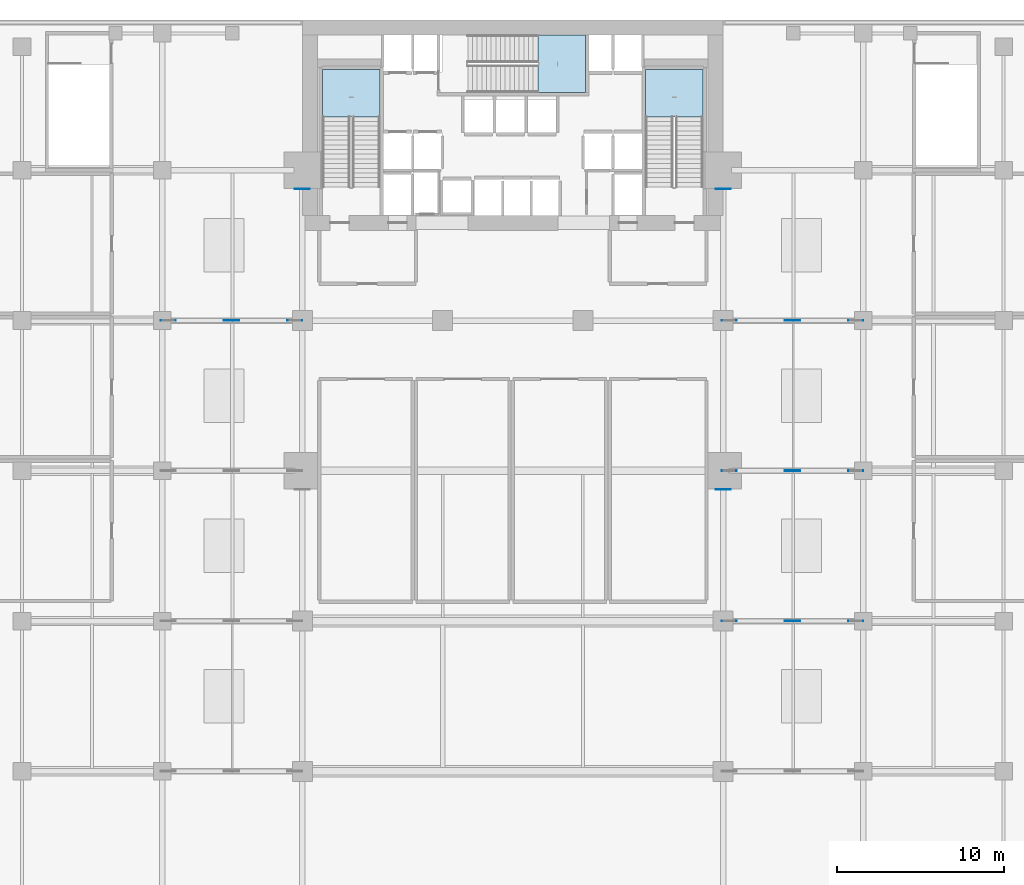
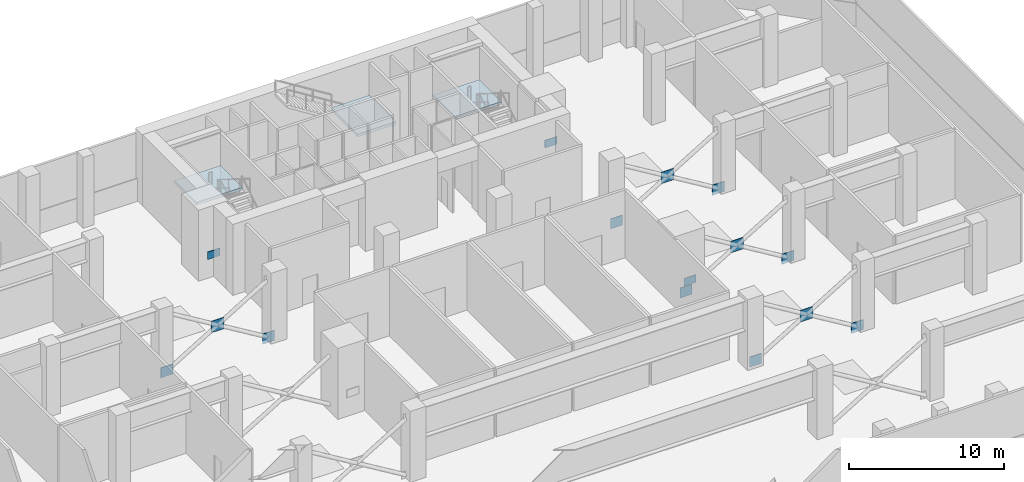
# One storey, part 5 of 15: 15 plates, 3 slabs, 3 elements without a shape of their own.
"""IFC4 building model written with IfcOpenShell, lengths in metres."""

from ifc_helpers import new_model, si_unit, direction, frame, origin, origin_2d, place, context, subcontext, project, spatial, polyline, rectangle, outline, extrude, material, layer, layer_set, type_object, element, aggregate, save


model = new_model("IFC4")

# Units and contexts
model_context = context("Model", 3, precision=1e-05, world=origin(), true_north=direction((0.0, 1.0)))
body_context = subcontext(model_context, "Body", "Model", "MODEL_VIEW")
ifc_project = project(units=[si_unit("LENGTHUNIT", "METRE"), si_unit("AREAUNIT", "SQUARE_METRE"), si_unit("VOLUMEUNIT", "CUBIC_METRE"), si_unit("PLANEANGLEUNIT", "RADIAN"), si_unit("MASSUNIT", "GRAM", prefix="KILO")], contexts=[model_context])

# Site, building, storey
site_placement = place(None, origin())
site = spatial("IfcSite", under=ifc_project, at=site_placement, CompositionType="ELEMENT")
building_placement = place(site_placement, origin())
building = spatial("IfcBuilding", under=site, at=building_placement, Name="Maruvema Waterfront Hotel and Observation Tower", CompositionType="ELEMENT")
storey_placement = place(building_placement, frame((0.0, 0.0, 21.35009765625)))
storey = spatial("IfcBuildingStorey", under=building, at=storey_placement, Name="L04", CompositionType="ELEMENT", Elevation=21.35009765625)

# Stair, slab
ifc_material_1 = material(Name="Concrete C50/60", Category="concrete")
stair_type = type_object("IfcStairType", Name="Dogleg Exit Stair 1650 mm (32R x 175.0 mm)", PredefinedType="HALF_TURN_STAIR", material=ifc_material_1)
stair_1_placement = place(storey_placement, origin())
stair_1 = element("IfcStair", 1, at=stair_1_placement, inside=storey, type_object=stair_type, Name="L04 ST-01", PredefinedType="HALF_TURN_STAIR")
ifc_material_2 = material(Name="Concrete C50/60", Category="concrete")
ifc_layer_1 = layer(ifc_material_2, 0.219970703125, Name="Stair Concrete Landing Slab 220 mm")
ifc_layer_set_1 = layer_set([ifc_layer_1], Name="Concrete C50/60")
slab_type = type_object("IfcSlabType", Name="Stair Concrete Landing Slab 220 mm", PredefinedType="LANDING", material=ifc_layer_set_1)
slab_1_placement = place(storey_placement, frame((0.0, 0.0, 2.579833984375)))
slab_1 = element("IfcSlab", 2, at=slab_1_placement, type_object=slab_type, Name="ST-01 landing 1", PredefinedType="LANDING", context=body_context, shape_type="SweptSolid", body=[
    extrude(outline(polyline([(29.85009765625, 48.199951171875), (29.85009765625, 51.050048828125), (26.39990234375, 51.050048828125), (26.39990234375, 48.199951171875), (29.85009765625, 48.199951171875)])), origin(), (0.0, 0.0, 1.0), 0.219970703125),
])
aggregate(stair_1, [slab_1])

stair_2_placement = place(storey_placement, origin())
stair_2 = element("IfcStair", 3, at=stair_2_placement, inside=storey, type_object=stair_type, Name="L04 ST-02", PredefinedType="HALF_TURN_STAIR")
slab_2_placement = place(storey_placement, frame((0.0, 0.0, 2.579833984375)))
slab_2 = element("IfcSlab", 4, at=slab_2_placement, type_object=slab_type, Name="ST-02 landing 1", PredefinedType="LANDING", context=body_context, shape_type="SweptSolid", body=[
    extrude(outline(polyline([(39.300048828125, 49.64990234375), (42.14990234375, 49.64990234375), (42.14990234375, 53.10009765625), (39.300048828125, 53.10009765625), (39.300048828125, 49.64990234375)])), origin(), (0.0, 0.0, 1.0), 0.219970703125),
])
aggregate(stair_2, [slab_2])

stair_3_placement = place(storey_placement, origin())
stair_3 = element("IfcStair", 5, at=stair_3_placement, inside=storey, type_object=stair_type, Name="L04 ST-03", PredefinedType="HALF_TURN_STAIR")
slab_3_placement = place(storey_placement, frame((0.0, 0.0, 2.579833984375)))
slab_3 = element("IfcSlab", 6, at=slab_3_placement, type_object=slab_type, Name="ST-03 landing 1", PredefinedType="LANDING", context=body_context, shape_type="SweptSolid", body=[
    extrude(outline(polyline([(49.199951171875, 48.199951171875), (49.199951171875, 51.050048828125), (45.75, 51.050048828125), (45.75, 48.199951171875), (49.199951171875, 48.199951171875)])), origin(), (0.0, 0.0, 1.0), 0.219970703125),
])
aggregate(stair_3, [slab_3])

# Plates
ifc_material_3 = material(Name="Steel ABNT NBR 7007 AR 415 (ASTM A572 Grade 50)", Category="steel")
ifc_layer_2 = layer(ifc_material_3, 0.0400390625, Name="Structural Truss Node Gusset Plate 40 mm")
ifc_layer_set_2 = layer_set([ifc_layer_2], Name="Steel ABNT NBR 7007 AR 415 (ASTM A572 Grade 50)")
plate_type = type_object("IfcPlateType", Name="Structural Truss Node Gusset Plate 40 mm", PredefinedType="USERDEFINED", material=ifc_layer_set_2)
for number, where, z_axis, x_axis, name in (
    (7, (50.39990234375, 25.8798828125, 1.499755859375), (0.0, 0.0, 1.0), (1.0, 0.0, 0.0), "L04 MC-02 Moment Frame Continuity Gusset Plate"),
    (8, (25.199951171875, 43.8798828125, 1.499755859375), (0.0, 0.0, 1.0), (1.0, 0.0, 0.0), "L04 MC-03 Moment Frame Continuity Gusset Plate"),
    (9, (50.39990234375, 43.8798828125, 1.499755859375), (0.0, 0.0, 1.0), (1.0, 0.0, 0.0), "L04 MC-04 Moment Frame Continuity Gusset Plate"),
):
    element("IfcPlate", number, at=place(storey_placement, frame(where, z_axis=z_axis, x_axis=x_axis)), inside=storey, type_object=plate_type, Name=name, ObjectType="GUSSET_PLATE", PredefinedType="USERDEFINED", context=body_context, shape_type="SweptSolid", body=[
        extrude(rectangle(XDim=0.89990234375, YDim=0.0400390625, at=origin_2d()), origin(), (0.0, 0.0, 1.0), 0.60009765625),
    ])
plate_1_placement = place(storey_placement, frame((50.75, 18.0, -0.25), z_axis=(0.0, 0.0, 1.0), x_axis=(1.0, 0.0, 0.0)))
element("IfcPlate", 10, at=plate_1_placement, inside=storey, type_object=plate_type, Name="L04 Transfer Truss Diagonal 04 Continuous A Node Plate 1", ObjectType="GUSSET_PLATE", PredefinedType="USERDEFINED", context=body_context, shape_type="SweptSolid", body=[
    extrude(rectangle(XDim=0.89990234375, YDim=0.0400390625, at=origin_2d()), origin(), (0.0, 0.0, 1.0), 0.800048828125),
])
plate_2_placement = place(storey_placement, frame((54.550048828125, 18.0, 1.994873046875), z_axis=(0.0, 0.0, 1.0), x_axis=(-1.0, 0.0, 0.0)))
element("IfcPlate", 11, at=plate_2_placement, inside=storey, type_object=plate_type, Name="L04 Transfer Truss Diagonal 04 Crossing Gusset Node Plate", ObjectType="GUSSET_PLATE", PredefinedType="USERDEFINED", context=body_context, shape_type="SweptSolid", body=[
    extrude(rectangle(XDim=0.949951171875, YDim=0.0400390625, at=origin_2d()), origin(), (0.0, 0.0, 1.0), 0.89990234375),
])
for number, where, z_axis, x_axis, name in (
    (12, (58.35009765625, 18.0, -0.25), (0.0, 0.0, 1.0), (-1.0, 0.0, 0.0), "L04 Transfer Truss Diagonal 04 Split Lower B1 Node Plate 1"),
    (13, (50.75, 27.0, -0.25), (0.0, 0.0, 1.0), (1.0, 0.0, 0.0), "L04 Transfer Truss Diagonal 06 Continuous A Node Plate 1"),
):
    element("IfcPlate", number, at=place(storey_placement, frame(where, z_axis=z_axis, x_axis=x_axis)), inside=storey, type_object=plate_type, Name=name, ObjectType="GUSSET_PLATE", PredefinedType="USERDEFINED", context=body_context, shape_type="SweptSolid", body=[
        extrude(rectangle(XDim=0.89990234375, YDim=0.0400390625, at=origin_2d()), origin(), (0.0, 0.0, 1.0), 0.800048828125),
    ])
plate_3_placement = place(storey_placement, frame((54.550048828125, 27.0, 1.994873046875), z_axis=(0.0, 0.0, 1.0), x_axis=(-1.0, 0.0, 0.0)))
element("IfcPlate", 14, at=plate_3_placement, inside=storey, type_object=plate_type, Name="L04 Transfer Truss Diagonal 06 Crossing Gusset Node Plate", ObjectType="GUSSET_PLATE", PredefinedType="USERDEFINED", context=body_context, shape_type="SweptSolid", body=[
    extrude(rectangle(XDim=0.949951171875, YDim=0.0400390625, at=origin_2d()), origin(), (0.0, 0.0, 1.0), 0.89990234375),
])
for number, where, z_axis, x_axis, name in (
    (15, (58.35009765625, 27.0, -0.25), (0.0, 0.0, 1.0), (-1.0, 0.0, 0.0), "L04 Transfer Truss Diagonal 06 Split Lower B1 Node Plate 1"),
    (16, (17.14990234375, 36.0, -0.25), (0.0, 0.0, 1.0), (1.0, 0.0, 0.0), "L04 Transfer Truss Diagonal 07 Continuous A Node Plate 1"),
):
    element("IfcPlate", number, at=place(storey_placement, frame(where, z_axis=z_axis, x_axis=x_axis)), inside=storey, type_object=plate_type, Name=name, ObjectType="GUSSET_PLATE", PredefinedType="USERDEFINED", context=body_context, shape_type="SweptSolid", body=[
        extrude(rectangle(XDim=0.89990234375, YDim=0.0400390625, at=origin_2d()), origin(), (0.0, 0.0, 1.0), 0.800048828125),
    ])
plate_4_placement = place(storey_placement, frame((20.949951171875, 36.0, 1.994873046875), z_axis=(0.0, 0.0, 1.0), x_axis=(-1.0, 0.0, 0.0)))
element("IfcPlate", 17, at=plate_4_placement, inside=storey, type_object=plate_type, Name="L04 Transfer Truss Diagonal 07 Crossing Gusset Node Plate", ObjectType="GUSSET_PLATE", PredefinedType="USERDEFINED", context=body_context, shape_type="SweptSolid", body=[
    extrude(rectangle(XDim=0.949951171875, YDim=0.0400390625, at=origin_2d()), origin(), (0.0, 0.0, 1.0), 0.89990234375),
])
for number, where, z_axis, x_axis, name in (
    (18, (24.75, 36.0, -0.25), (0.0, 0.0, 1.0), (-1.0, 0.0, 0.0), "L04 Transfer Truss Diagonal 07 Split Lower B1 Node Plate 1"),
    (19, (50.75, 36.0, -0.25), (0.0, 0.0, 1.0), (1.0, 0.0, 0.0), "L04 Transfer Truss Diagonal 08 Continuous A Node Plate 1"),
):
    element("IfcPlate", number, at=place(storey_placement, frame(where, z_axis=z_axis, x_axis=x_axis)), inside=storey, type_object=plate_type, Name=name, ObjectType="GUSSET_PLATE", PredefinedType="USERDEFINED", context=body_context, shape_type="SweptSolid", body=[
        extrude(rectangle(XDim=0.89990234375, YDim=0.0400390625, at=origin_2d()), origin(), (0.0, 0.0, 1.0), 0.800048828125),
    ])
plate_5_placement = place(storey_placement, frame((54.550048828125, 36.0, 1.994873046875), z_axis=(0.0, 0.0, 1.0), x_axis=(-1.0, 0.0, 0.0)))
element("IfcPlate", 20, at=plate_5_placement, inside=storey, type_object=plate_type, Name="L04 Transfer Truss Diagonal 08 Crossing Gusset Node Plate", ObjectType="GUSSET_PLATE", PredefinedType="USERDEFINED", context=body_context, shape_type="SweptSolid", body=[
    extrude(rectangle(XDim=0.949951171875, YDim=0.0400390625, at=origin_2d()), origin(), (0.0, 0.0, 1.0), 0.89990234375),
])
plate_6_placement = place(storey_placement, frame((58.35009765625, 36.0, -0.25), z_axis=(0.0, 0.0, 1.0), x_axis=(-1.0, 0.0, 0.0)))
element("IfcPlate", 21, at=plate_6_placement, inside=storey, type_object=plate_type, Name="L04 Transfer Truss Diagonal 08 Split Lower B1 Node Plate 1", ObjectType="GUSSET_PLATE", PredefinedType="USERDEFINED", context=body_context, shape_type="SweptSolid", body=[
    extrude(rectangle(XDim=0.89990234375, YDim=0.0400390625, at=origin_2d()), origin(), (0.0, 0.0, 1.0), 0.800048828125),
])

save(model, "model.ifc")
